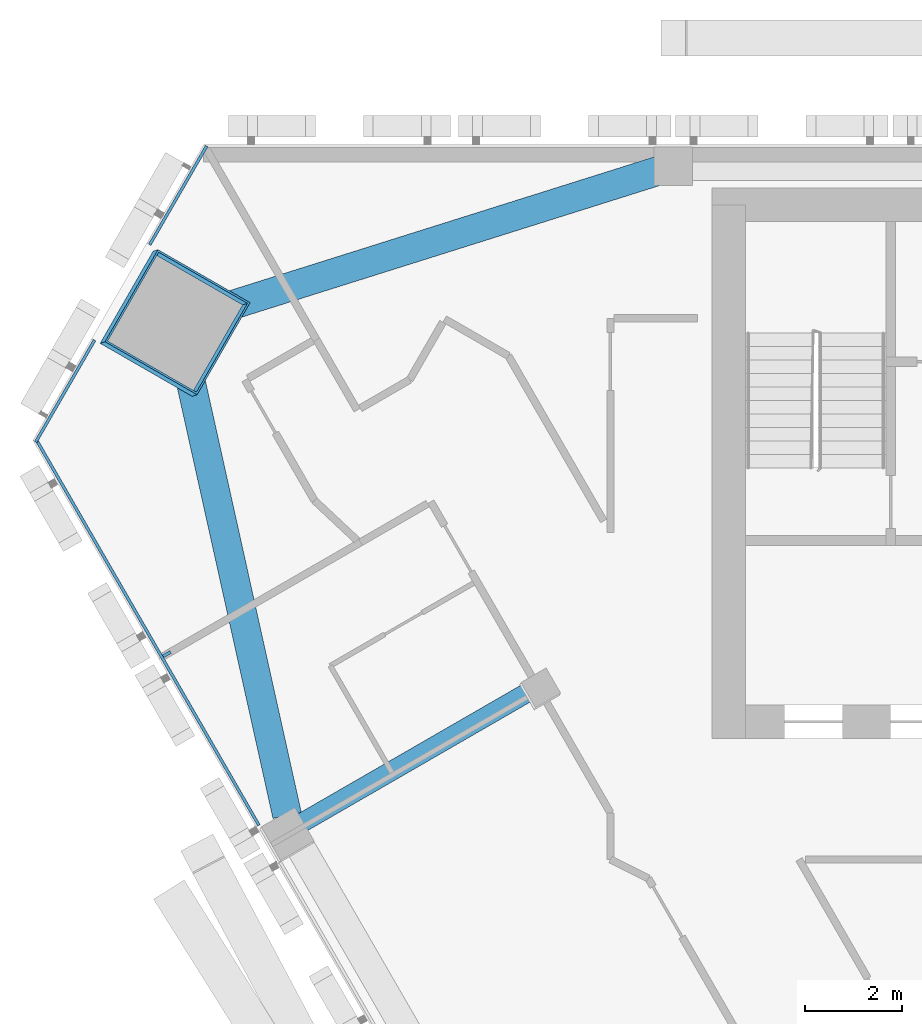
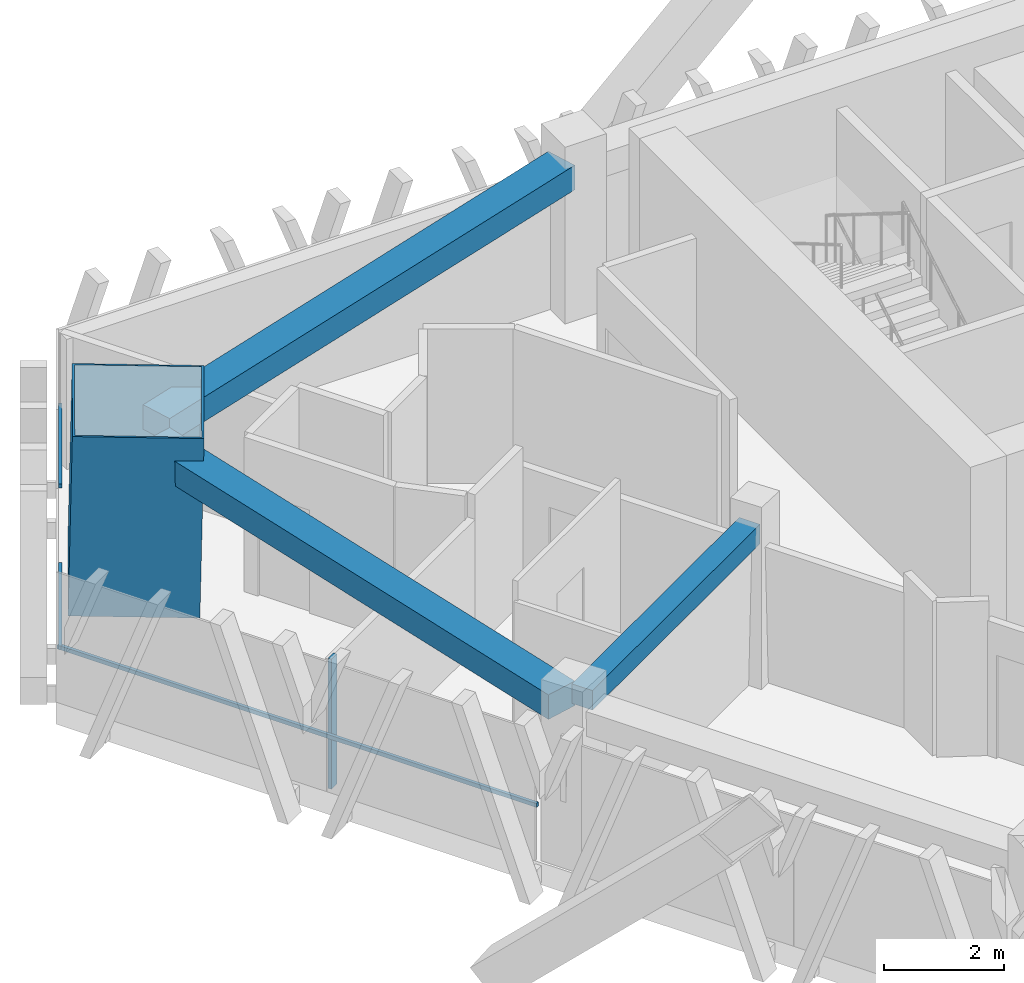
# One storey, part 7 of 18: 5 members, 3 beams, 2 elements without a shape of their own.
"""IFC4 building model written with IfcOpenShell, lengths in metres."""

from ifc_helpers import new_model, si_unit, direction, frame, origin, origin_2d, place, context, subcontext, project, spatial, rectangle, hollow_rectangle, extrude, material, layer, layer_set, material_profile, profile_set, type_object, element, aggregate, save


model = new_model("IFC4")

# Units and contexts
model_context = context("Model", 3, precision=1e-05, world=origin(), true_north=direction((0.0, 1.0)))
body_context = subcontext(model_context, "Body", "Model", "MODEL_VIEW")
ifc_project = project(units=[si_unit("LENGTHUNIT", "METRE"), si_unit("AREAUNIT", "SQUARE_METRE"), si_unit("VOLUMEUNIT", "CUBIC_METRE"), si_unit("PLANEANGLEUNIT", "RADIAN"), si_unit("MASSUNIT", "GRAM", prefix="KILO")], contexts=[model_context])

# Site, building, storey
site_placement = place(None, origin())
site = spatial("IfcSite", under=ifc_project, at=site_placement, CompositionType="ELEMENT")
building_placement = place(site_placement, origin())
building = spatial("IfcBuilding", under=site, at=building_placement, Name="Altiplano Prism Tower", CompositionType="ELEMENT")
storey_placement = place(building_placement, frame((0.0, 0.0, 163.800048828125)))
storey = spatial("IfcBuildingStorey", under=building, at=storey_placement, Name="L42", CompositionType="ELEMENT", Elevation=163.800048828125)

# Curtain wall, member
ifc_material_1 = material(Name="Aluminium and glass", Category="aluminium")
ifc_layer = layer(ifc_material_1, 0.280029296875)
ifc_layer_set = layer_set([ifc_layer], Name="Aluminium and glass")
curtain_wall_type = type_object("IfcCurtainWallType", Name="CW1 typical co-living unitised curtain wall", PredefinedType="NOTDEFINED", material=ifc_layer_set)
curtain_wall_1_placement = place(storey_placement, origin())
curtain_wall_1 = element("IfcCurtainWall", 1, at=curtain_wall_1_placement, inside=storey, type_object=curtain_wall_type, Name="CW1 curtain wall south-west face L42", PredefinedType="NOTDEFINED")
ifc_material_2 = material(Name="Aluminium", Category="aluminium")
ifc_material_profile_1 = material_profile(ifc_material_2, rectangle(XDim=0.179931640625, YDim=0.06494140625, at=origin_2d()), Name="CW1 mullion 65 x 180")
ifc_profile_set_1 = profile_set([ifc_material_profile_1], Name="Aluminium")
member_type_1 = type_object("IfcMemberType", Name="CW1 mullion 65 x 180", PredefinedType="MULLION", material=ifc_profile_set_1)
member_1_placement = place(storey_placement, frame((61.017578125, 94.4482421875, 0.0), z_axis=(0.0, 0.0, 1.0), x_axis=(0.866025400931, 0.500000004943, 0.0)))
member_1 = element("IfcMember", 2, at=member_1_placement, type_object=member_type_1, Name="CW1 mullion", PredefinedType="MULLION", context=body_context, shape_type="SweptSolid", body=[
    extrude(rectangle(XDim=0.179931640625, YDim=0.06494140625, at=origin_2d()), origin(), (0.0, 0.0, 1.0), 2.64990234375),
])

# Curtain wall, members
curtain_wall_2_placement = place(storey_placement, origin())
curtain_wall_2 = element("IfcCurtainWall", 3, at=curtain_wall_2_placement, inside=storey, type_object=curtain_wall_type, Name="CW1 curtain wall north-west chamfer L42", PredefinedType="NOTDEFINED")
ifc_material_profile_2 = material_profile(ifc_material_2, rectangle(XDim=0.06005859375, YDim=0.080078125, at=origin_2d()), Name="CW1 transom 80 x 60")
ifc_profile_set_2 = profile_set([ifc_material_profile_2], Name="Aluminium")
member_type_2 = type_object("IfcMemberType", Name="CW1 transom 80 x 60", PredefinedType="USERDEFINED", material=ifc_profile_set_2)
member_2_placement = place(storey_placement, frame((61.841796875, 104.965087890625, 1.099853515625), z_axis=(-0.49997046273, -0.866042456464, 0.0), x_axis=(0.866042456464, -0.49997046273, 0.0)))
member_2 = element("IfcMember", 4, at=member_2_placement, type_object=member_type_2, Name="CW1 transom", ObjectType="TRANSOM", PredefinedType="USERDEFINED", context=body_context, shape_type="SweptSolid", body=[
    extrude(rectangle(XDim=0.06005859375, YDim=0.080078125, at=origin_2d()), origin(), (0.0, 0.0, 1.0), 2.357666015625),
])
member_3_placement = place(storey_placement, frame((59.523193359375, 100.94873046875, 1.099853515625), z_axis=(-0.499973876011, -0.866040485951, 0.0), x_axis=(0.866040485951, -0.499973876011, 0.0)))
member_3 = element("IfcMember", 5, at=member_3_placement, type_object=member_type_2, Name="CW1 transom", ObjectType="TRANSOM", PredefinedType="USERDEFINED", context=body_context, shape_type="SweptSolid", body=[
    extrude(rectangle(XDim=0.06005859375, YDim=0.080078125, at=origin_2d()), origin(), (0.0, 0.0, 1.0), 2.437744140625),
])
aggregate(curtain_wall_2, [member_2, member_3])

# Member
member_4_placement = place(storey_placement, frame((58.304443359375, 98.90771484375, 1.099853515625), z_axis=(0.499990083164, -0.866031129197, 0.0), x_axis=(0.866031129197, 0.499990083164, 0.0)))
member_4 = element("IfcMember", 6, at=member_4_placement, type_object=member_type_2, Name="CW1 transom", ObjectType="TRANSOM", PredefinedType="USERDEFINED", context=body_context, shape_type="SweptSolid", body=[
    extrude(rectangle(XDim=0.06005859375, YDim=0.080078125, at=origin_2d()), origin(), (0.0, 0.0, 1.0), 9.239013671875),
])

aggregate(curtain_wall_1, [member_1, member_4])

# Beams
ifc_material_3 = material(Name="Concrete C60/75", Category="concrete")
ifc_material_profile_3 = material_profile(ifc_material_3, rectangle(XDim=0.60009765625, YDim=0.5, at=origin_2d()), Name="Edge beam 600x500")
ifc_profile_set_3 = profile_set([ifc_material_profile_3], Name="Concrete C60/75")
beam_type_1 = type_object("IfcBeamType", Name="Edge beam 600x500", PredefinedType="SPANDREL", material=ifc_profile_set_3)
beam_1_placement = place(storey_placement, frame((71.21435546875, 104.460205078125, 2.89990234375), z_axis=(-0.953830872127, -0.300344248117, 0.0), x_axis=(0.300344248117, -0.953830872127, 0.0)))
element("IfcBeam", 7, at=beam_1_placement, inside=storey, type_object=beam_type_1, Name="Edge beam P04-M0 L43", PredefinedType="SPANDREL", context=body_context, shape_type="SweptSolid", body=[
    extrude(rectangle(XDim=0.60009765625, YDim=0.5, at=origin_2d()), origin(), (0.0, 0.0, 1.0), 10.00634765625),
])
beam_2_placement = place(storey_placement, frame((61.338134765625, 100.88037109375, 2.89990234375), z_axis=(0.216824540755, -0.976210591279, 0.0), x_axis=(0.976210591279, 0.216824540755, 0.0)))
element("IfcBeam", 8, at=beam_2_placement, inside=storey, type_object=beam_type_1, Name="Edge beam M0-P11 L43", PredefinedType="SPANDREL", context=body_context, shape_type="SweptSolid", body=[
    extrude(rectangle(XDim=0.60009765625, YDim=0.5, at=origin_2d()), origin(), (0.0, 0.0, 1.0), 10.006591796875),
])

# Member
ifc_material_4 = material(Name="Steel S460", Category="steel")
ifc_material_profile_4 = material_profile(ifc_material_4, hollow_rectangle(XDim=2.199951171875, YDim=2.199951171875, WallThickness=0.0400390625, at=origin_2d()), Name="Mega column tube 2200")
ifc_profile_set_4 = profile_set([ifc_material_profile_4], Name="Steel S460")
member_type_3 = type_object("IfcMemberType", Name="Mega column tube 2200", PredefinedType="POST", material=ifc_profile_set_4)
member_5_placement = place(storey_placement, frame((61.138427734375, 101.286376953125, 0.0), z_axis=(0.028335986449, 0.009287153453, 0.999555311452), x_axis=(-0.866551229703, 0.498689963997, 0.019932037229)))
element("IfcMember", 9, at=member_5_placement, inside=storey, type_object=member_type_3, Name="Mega column tube M0 L42", PredefinedType="POST", context=body_context, shape_type="SweptSolid", body=[
    extrude(hollow_rectangle(XDim=2.199951171875, YDim=2.199951171875, WallThickness=0.0400390625, at=origin_2d()), origin(), (0.0, 0.0, 1.0), 3.6015625),
])

# Beam
ifc_material_profile_5 = material_profile(ifc_material_3, rectangle(XDim=0.39990234375, YDim=0.39990234375, at=origin_2d()), Name="Tie beam 400x400")
ifc_profile_set_5 = profile_set([ifc_material_profile_5], Name="Concrete C60/75")
beam_type_2 = type_object("IfcBeamType", Name="Tie beam 400x400", PredefinedType="BEAM", material=ifc_profile_set_5)
beam_3_placement = place(storey_placement, frame((68.65625, 93.754638671875, 2.949951171875), z_axis=(-0.866030670444, -0.499990877767, 0.0), x_axis=(0.499990877767, -0.866030670444, 0.0)))
element("IfcBeam", 10, at=beam_3_placement, inside=storey, type_object=beam_type_2, Name="Tie beam I11 L43", PredefinedType="BEAM", context=body_context, shape_type="SweptSolid", body=[
    extrude(rectangle(XDim=0.39990234375, YDim=0.39990234375, at=origin_2d()), origin(), (0.0, 0.0, 1.0), 5.58984375),
])

save(model, "model.ifc")
